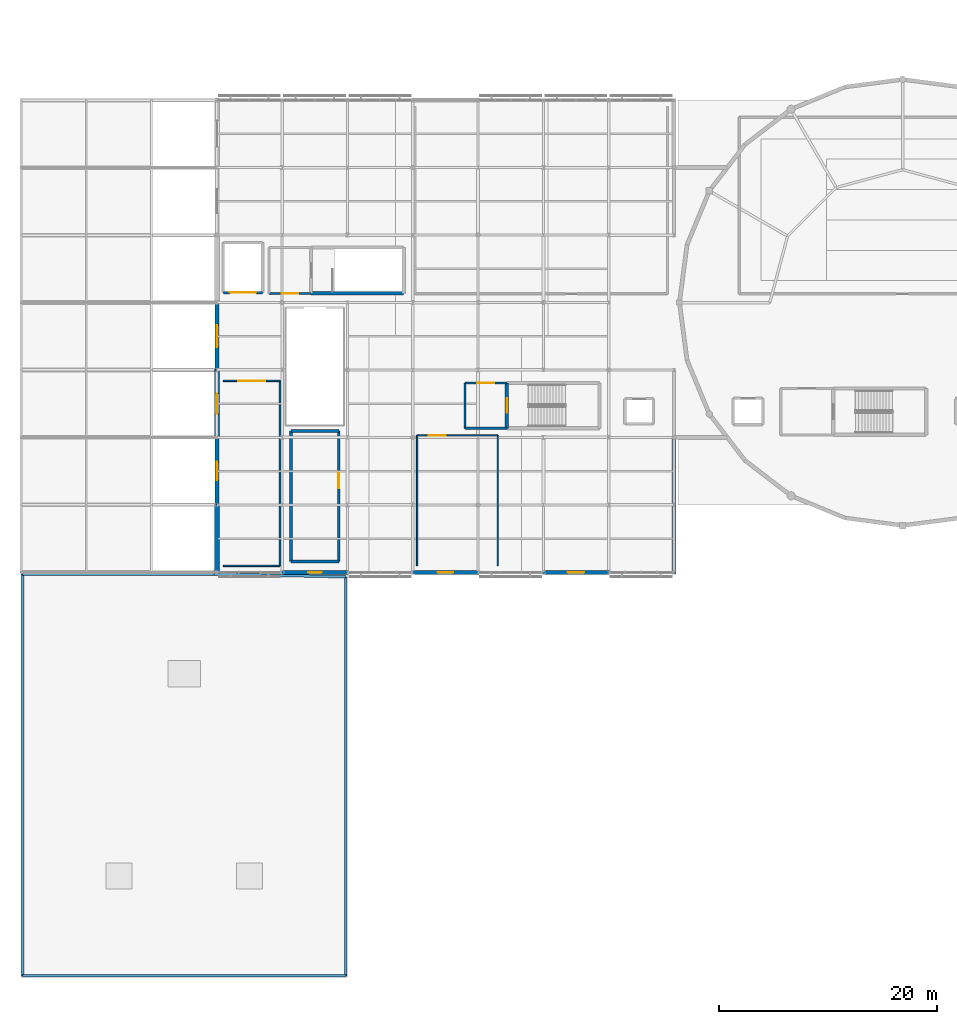
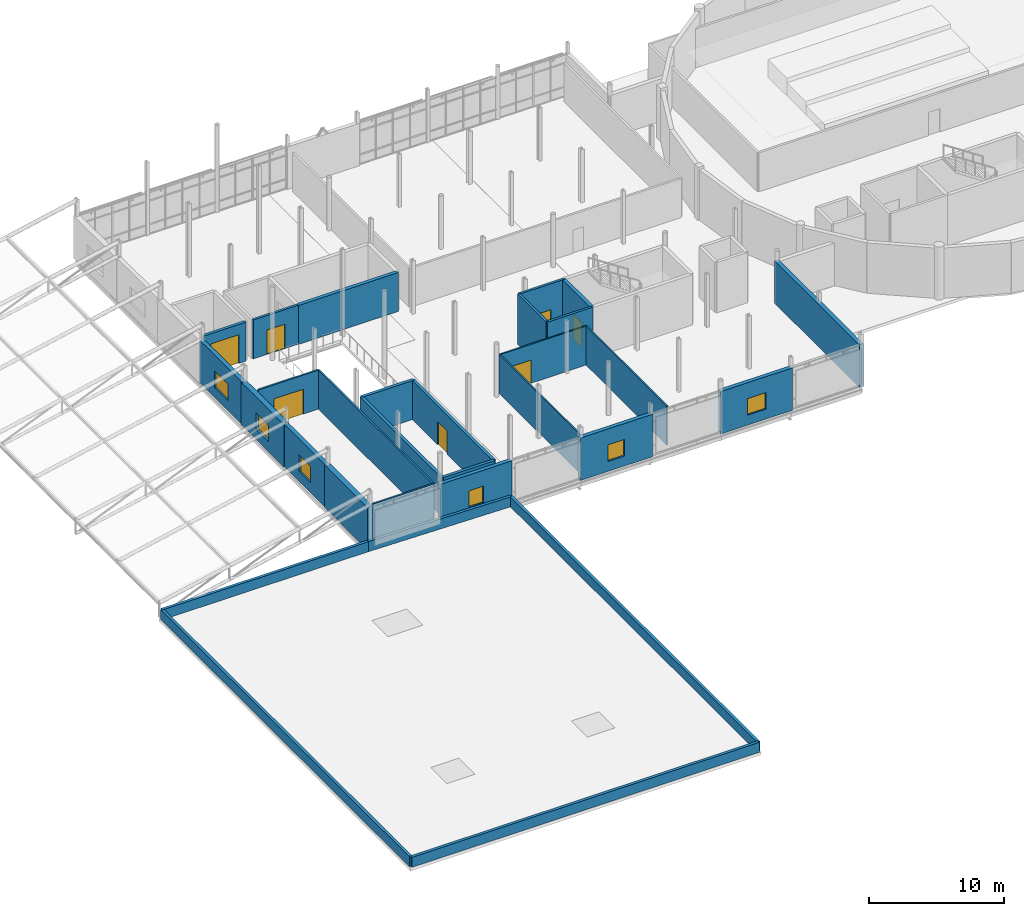
# One storey, part 57 of 84: 30 walls, 7 doors, 6 windows, 13 openings.
"""IFC4 building model written with IfcOpenShell, lengths in metres."""

from ifc_helpers import new_model, si_unit, direction, frame, frame_2d, origin, place, context, subcontext, project, spatial, rectangle, extrude, material, layer, layer_set, type_object, element, fill, save


model = new_model("IFC4")

# Units and contexts
model_context = context("Model", 3, precision=1e-05, world=origin(), true_north=direction((0.0, 1.0)))
body_context = subcontext(model_context, "Body", "Model", "MODEL_VIEW")
ifc_project = project(units=[si_unit("LENGTHUNIT", "METRE"), si_unit("AREAUNIT", "SQUARE_METRE"), si_unit("VOLUMEUNIT", "CUBIC_METRE"), si_unit("PLANEANGLEUNIT", "RADIAN"), si_unit("MASSUNIT", "GRAM", prefix="KILO")], contexts=[model_context])

# Site, building, storey
site_placement = place(None, origin())
site = spatial("IfcSite", under=ifc_project, at=site_placement, CompositionType="ELEMENT")
building_placement = place(site_placement, origin())
building = spatial("IfcBuilding", under=site, at=building_placement, Name="Mirzam Square Science Centre", CompositionType="ELEMENT")
storey_placement = place(building_placement, frame((0.0, 0.0, 10.800048828125)))
storey = spatial("IfcBuildingStorey", under=building, at=storey_placement, Name="L02", CompositionType="ELEMENT", Elevation=10.800048828125)

# Wall, opening, door
ifc_material_1 = material(Name="Concrete C45/55", Category="concrete")
ifc_layer_1 = layer(ifc_material_1, 0.300048828125)
ifc_layer_set_1 = layer_set([ifc_layer_1], Name="W-CORE-300")
wall_type_1 = type_object("IfcWallType", Name="W-CORE-300", PredefinedType="SHEAR", material=ifc_layer_set_1)
wall_1_placement = place(storey_placement, frame((44.639892578125, 54.610107421875, 0.0), z_axis=(0.0, 0.0, 1.0), x_axis=(0.0, -1.0, 0.0)))
wall_1 = element("IfcWall", 1, at=wall_1_placement, inside=storey, type_object=wall_type_1, Name="L02 CORE-1 west wall", PredefinedType="SHEAR", context=body_context, shape_type="SweptSolid", body=[
    extrude(rectangle(XDim=4.170166015625, YDim=0.300048828125, at=frame_2d((2.0849609375, 0.0))), origin(), (0.0, 0.0, 1.0), 4.550048828125),
])
opening_1_placement = place(wall_1_placement, frame((1.409912109375, 0.0, 0.0)))
opening_1 = element("IfcOpeningElement", 2, at=opening_1_placement, cuts=wall_1, Name="Opening DS-01", PredefinedType="OPENING", context=body_context, shape_type="SweptSolid", body=[
    extrude(rectangle(XDim=1.35009765625, YDim=2.199951171875, at=frame_2d((0.675048828125, 1.10009765625))), frame((0.0, 0.159912109375, 0.0), z_axis=(0.0, -1.0, 0.0), x_axis=(1.0, 0.0, 0.0)), (0.0, 0.0, 1.0), 0.320068359375),
])
ifc_material_2 = material(Name="Fire-Rated Powder-Coated Architectural Steel Door", Category="steel")
door_type_1 = type_object("IfcDoorType", Name="DR-STAIR-1350x2200", OperationType="NOTDEFINED", PredefinedType="DOOR", material=ifc_material_2)
door_1_placement = place(opening_1_placement, origin())
door_1 = element("IfcDoor", 3, at=door_1_placement, inside=storey, type_object=door_type_1, Name="DRS-1-L02", OperationType="SINGLE_SWING_RIGHT", OverallHeight=2.199951171875, OverallWidth=1.35009765625, PredefinedType="DOOR", context=body_context, shape_type="SweptSolid", body=[
    extrude(rectangle(XDim=1.35009765625, YDim=2.199951171875, at=frame_2d((0.675048828125, 1.10009765625))), frame((0.0, 0.02490234375, 0.0), z_axis=(0.0, -1.0, 0.0), x_axis=(1.0, 0.0, 0.0)), (0.0, 0.0, 1.0), 0.050048828125),
])
fill(opening_1, door_1)

# Walls
wall_2_placement = place(storey_placement, frame((26.639892578125, 62.840087890625, 0.0), z_axis=(0.0, 0.0, 1.0), x_axis=(1.0, 0.0, 0.0)))
element("IfcWall", 4, at=wall_2_placement, inside=storey, type_object=wall_type_1, Name="L02 CORE-2 south wall", PredefinedType="SHEAR", context=body_context, shape_type="SweptSolid", body=[
    extrude(rectangle(XDim=8.52001953125, YDim=0.300048828125, at=frame_2d((4.260009765625, 0.0))), origin(), (0.0, 0.0, 1.0), 3.52001953125),
])
ifc_material_3 = material(Name="Honed Qatari Limestone Concrete C40/50", Category="masonry")
ifc_layer_2 = layer(ifc_material_3, 0.449951171875)
ifc_layer_set_2 = layer_set([ifc_layer_2], Name="W-EXT-LIME-450")
wall_type_2 = type_object("IfcWallType", Name="W-EXT-LIME-450", PredefinedType="SOLIDWALL", material=ifc_layer_set_2)
wall_3_placement = place(storey_placement, frame((18.0, 43.47509765625, 0.0), z_axis=(0.0, 0.0, 1.0), x_axis=(0.0, -1.0, 0.0)))
element("IfcWall", 5, at=wall_3_placement, inside=storey, type_object=wall_type_2, Name="L02 external wall EW-WDG-W-L02-07", PredefinedType="SOLIDWALL", context=body_context, shape_type="SweptSolid", body=[
    extrude(rectangle(XDim=6.35009765625, YDim=0.449951171875, at=frame_2d((3.175048828125, 0.0))), origin(), (0.0, 0.0, 1.0), 3.83984375),
])

# Wall, opening, window
wall_4_placement = place(storey_placement, frame((18.0, 55.875, 0.0), z_axis=(0.0, 0.0, 1.0), x_axis=(0.0, -1.0, 0.0)))
wall_4 = element("IfcWall", 6, at=wall_4_placement, inside=storey, type_object=wall_type_2, Name="L02 external wall EW-WDG-W-L02-09", PredefinedType="SOLIDWALL", context=body_context, shape_type="SweptSolid", body=[
    extrude(rectangle(XDim=6.35009765625, YDim=0.449951171875, at=frame_2d((3.175048828125, 0.0))), origin(), (0.0, 0.0, 1.0), 3.83984375),
])
opening_2_placement = place(wall_4_placement, frame((2.25, 0.0, 0.89990234375)))
opening_2 = element("IfcOpeningElement", 7, at=opening_2_placement, cuts=wall_4, Name="Opening W-17", PredefinedType="OPENING", context=body_context, shape_type="SweptSolid", body=[
    extrude(rectangle(XDim=1.85009765625, YDim=1.5, at=frame_2d((0.925048828125, 0.75))), frame((0.0, 0.23486328125, 0.0), z_axis=(0.0, -1.0, 0.0), x_axis=(1.0, 0.0, 0.0)), (0.0, 0.0, 1.0), 0.469970703125),
])
ifc_material_4 = material(Name="Thermally Broken Bronze Aluminium and Low-E Glass", Category="aluminium")
window_type_1 = type_object("IfcWindowType", Name="WIN-1850x1500", PartitioningType="DOUBLE_PANEL_VERTICAL", PredefinedType="WINDOW", material=ifc_material_4)
window_1_placement = place(opening_2_placement, origin())
window_1 = element("IfcWindow", 8, at=window_1_placement, inside=storey, type_object=window_type_1, Name="L02 solar window 017", OverallHeight=1.5, OverallWidth=1.85009765625, PartitioningType="DOUBLE_PANEL_VERTICAL", PredefinedType="WINDOW", context=body_context, shape_type="SweptSolid", body=[
    extrude(rectangle(XDim=1.85009765625, YDim=1.5, at=frame_2d((0.925048828125, 0.75))), frame((0.0, 0.030029296875, 0.0), z_axis=(0.0, -1.0, 0.0), x_axis=(1.0, 0.0, 0.0)), (0.0, 0.0, 1.0), 0.06005859375),
])
fill(opening_2, window_1)

ifc_material_5 = material(Name="Standing-Seam Zinc-Clad Concrete Backup C40/50", Category="concrete")
ifc_layer_3 = layer(ifc_material_5, 0.330078125)
ifc_layer_set_3 = layer_set([ifc_layer_3], Name="W-EXT-METAL-330")
wall_type_3 = type_object("IfcWallType", Name="W-EXT-METAL-330", PredefinedType="SOLIDWALL", material=ifc_layer_set_3)
wall_5_placement = place(storey_placement, frame((23.925048828125, 37.199951171875, 0.0), z_axis=(0.0, 0.0, 1.0), x_axis=(1.0, 0.0, 0.0)))
wall_5 = element("IfcWall", 9, at=wall_5_placement, inside=storey, type_object=wall_type_3, Name="L02 external wall EW-WDG-S-L02-05", PredefinedType="SOLIDWALL", context=body_context, shape_type="SweptSolid", body=[
    extrude(rectangle(XDim=6.14990234375, YDim=0.330078125, at=frame_2d((3.074951171875, 0.0))), origin(), (0.0, 0.0, 1.0), 3.83984375),
])
opening_3_placement = place(wall_5_placement, frame((2.449951171875, 0.0, 0.89990234375)))
opening_3 = element("IfcOpeningElement", 10, at=opening_3_placement, cuts=wall_5, Name="Opening W-13", PredefinedType="OPENING", context=body_context, shape_type="SweptSolid", body=[
    extrude(rectangle(XDim=1.25, YDim=1.5, at=frame_2d((0.625, 0.75))), frame((0.0, 0.175048828125, 0.0), z_axis=(0.0, -1.0, 0.0), x_axis=(1.0, 0.0, 0.0)), (0.0, 0.0, 1.0), 0.35009765625),
])
window_type_2 = type_object("IfcWindowType", Name="WIN-1250x1500", PartitioningType="SINGLE_PANEL", PredefinedType="WINDOW", material=ifc_material_4)
window_2_placement = place(opening_3_placement, origin())
window_2 = element("IfcWindow", 11, at=window_2_placement, inside=storey, type_object=window_type_2, Name="L02 solar window 013", OverallHeight=1.5, OverallWidth=1.25, PartitioningType="SINGLE_PANEL", PredefinedType="WINDOW", context=body_context, shape_type="SweptSolid", body=[
    extrude(rectangle(XDim=1.25, YDim=1.5, at=frame_2d((0.625, 0.75))), frame((0.0, 0.030029296875, 0.0), z_axis=(0.0, -1.0, 0.0), x_axis=(1.0, 0.0, 0.0)), (0.0, 0.0, 1.0), 0.06005859375),
])
fill(opening_3, window_2)

wall_6_placement = place(storey_placement, frame((35.925048828125, 37.199951171875, 0.0), z_axis=(0.0, 0.0, 1.0), x_axis=(1.0, 0.0, 0.0)))
wall_6 = element("IfcWall", 12, at=wall_6_placement, inside=storey, type_object=wall_type_3, Name="L02 external wall EW-WDG-S-L02-07", PredefinedType="SOLIDWALL", context=body_context, shape_type="SweptSolid", body=[
    extrude(rectangle(XDim=6.14990234375, YDim=0.330078125, at=frame_2d((3.074951171875, 0.0))), origin(), (0.0, 0.0, 1.0), 3.83984375),
])
opening_4_placement = place(wall_6_placement, frame((2.375, 0.0, 0.89990234375)))
opening_4 = element("IfcOpeningElement", 13, at=opening_4_placement, cuts=wall_6, Name="Opening W-14", PredefinedType="OPENING", context=body_context, shape_type="SweptSolid", body=[
    extrude(rectangle(XDim=1.39990234375, YDim=1.5, at=frame_2d((0.699951171875, 0.75))), frame((0.0, 0.175048828125, 0.0), z_axis=(0.0, -1.0, 0.0), x_axis=(1.0, 0.0, 0.0)), (0.0, 0.0, 1.0), 0.35009765625),
])
window_type_3 = type_object("IfcWindowType", Name="WIN-1400x1500", PartitioningType="SINGLE_PANEL", PredefinedType="WINDOW", material=ifc_material_4)
window_3_placement = place(opening_4_placement, origin())
window_3 = element("IfcWindow", 14, at=window_3_placement, inside=storey, type_object=window_type_3, Name="L02 solar window 014", OverallHeight=1.5, OverallWidth=1.39990234375, PartitioningType="SINGLE_PANEL", PredefinedType="WINDOW", context=body_context, shape_type="SweptSolid", body=[
    extrude(rectangle(XDim=1.39990234375, YDim=1.5, at=frame_2d((0.699951171875, 0.75))), frame((0.0, 0.030029296875, 0.0), z_axis=(0.0, -1.0, 0.0), x_axis=(1.0, 0.0, 0.0)), (0.0, 0.0, 1.0), 0.06005859375),
])
fill(opening_4, window_3)

wall_7_placement = place(storey_placement, frame((47.925048828125, 37.199951171875, 0.0), z_axis=(0.0, 0.0, 1.0), x_axis=(1.0, 0.0, 0.0)))
wall_7 = element("IfcWall", 15, at=wall_7_placement, inside=storey, type_object=wall_type_3, Name="L02 external wall EW-WDG-S-L02-09", PredefinedType="SOLIDWALL", context=body_context, shape_type="SweptSolid", body=[
    extrude(rectangle(XDim=6.14990234375, YDim=0.330078125, at=frame_2d((3.074951171875, 0.0))), origin(), (0.0, 0.0, 1.0), 3.83984375),
])
opening_5_placement = place(wall_7_placement, frame((2.300048828125, 0.0, 0.89990234375)))
opening_5 = element("IfcOpeningElement", 16, at=opening_5_placement, cuts=wall_7, Name="Opening W-15", PredefinedType="OPENING", context=body_context, shape_type="SweptSolid", body=[
    extrude(rectangle(XDim=1.550048828125, YDim=1.5, at=frame_2d((0.77490234375, 0.75))), frame((0.0, 0.175048828125, 0.0), z_axis=(0.0, -1.0, 0.0), x_axis=(1.0, 0.0, 0.0)), (0.0, 0.0, 1.0), 0.35009765625),
])
window_type_4 = type_object("IfcWindowType", Name="WIN-1550x1500", PartitioningType="SINGLE_PANEL", PredefinedType="WINDOW", material=ifc_material_4)
window_4_placement = place(opening_5_placement, origin())
window_4 = element("IfcWindow", 17, at=window_4_placement, inside=storey, type_object=window_type_4, Name="L02 solar window 015", OverallHeight=1.5, OverallWidth=1.550048828125, PartitioningType="SINGLE_PANEL", PredefinedType="WINDOW", context=body_context, shape_type="SweptSolid", body=[
    extrude(rectangle(XDim=1.550048828125, YDim=1.5, at=frame_2d((0.77490234375, 0.75))), frame((0.0, 0.030029296875, 0.0), z_axis=(0.0, -1.0, 0.0), x_axis=(1.0, 0.0, 0.0)), (0.0, 0.0, 1.0), 0.06005859375),
])
fill(opening_5, window_4)

# Wall
ifc_layer_4 = layer(ifc_material_5, 0.35009765625)
ifc_layer_set_4 = layer_set([ifc_layer_4], Name="W-EXT-METAL-350")
wall_type_4 = type_object("IfcWallType", Name="W-EXT-METAL-350", PredefinedType="SOLIDWALL", material=ifc_layer_set_4)
wall_8_placement = place(storey_placement, frame((60.0, 37.125, 0.0), z_axis=(0.0, 0.0, 1.0), x_axis=(0.0, 1.0, 0.0)))
element("IfcWall", 18, at=wall_8_placement, inside=storey, type_object=wall_type_4, Name="L02 external wall EW-WDG-E-S-L02", PredefinedType="SOLIDWALL", context=body_context, shape_type="SweptSolid", body=[
    extrude(rectangle(XDim=12.550048828125, YDim=0.35009765625, at=frame_2d((6.27490234375, 0.0))), origin(), (0.0, 0.0, 1.0), 3.83984375),
])

# Wall, opening, window
wall_9_placement = place(storey_placement, frame((18.0, 49.675048828125, 0.0), z_axis=(0.0, 0.0, 1.0), x_axis=(0.0, -1.0, 0.0)))
wall_9 = element("IfcWall", 19, at=wall_9_placement, inside=storey, type_object=wall_type_4, Name="L02 external wall EW-WDG-W-L02-08", PredefinedType="SOLIDWALL", context=body_context, shape_type="SweptSolid", body=[
    extrude(rectangle(XDim=6.35009765625, YDim=0.35009765625, at=frame_2d((3.175048828125, 0.0))), origin(), (0.0, 0.0, 1.0), 3.83984375),
])
opening_6_placement = place(wall_9_placement, frame((2.324951171875, 0.0, 0.89990234375)))
opening_6 = element("IfcOpeningElement", 20, at=opening_6_placement, cuts=wall_9, Name="Opening W-16", PredefinedType="OPENING", context=body_context, shape_type="SweptSolid", body=[
    extrude(rectangle(XDim=1.699951171875, YDim=1.5, at=frame_2d((0.85009765625, 0.75))), frame((0.0, 0.18505859375, 0.0), z_axis=(0.0, -1.0, 0.0), x_axis=(1.0, 0.0, 0.0)), (0.0, 0.0, 1.0), 0.3701171875),
])
window_type_5 = type_object("IfcWindowType", Name="WIN-1700x1500", PartitioningType="SINGLE_PANEL", PredefinedType="WINDOW", material=ifc_material_4)
window_5_placement = place(opening_6_placement, origin())
window_5 = element("IfcWindow", 21, at=window_5_placement, inside=storey, type_object=window_type_5, Name="L02 solar window 016", OverallHeight=1.5, OverallWidth=1.699951171875, PartitioningType="SINGLE_PANEL", PredefinedType="WINDOW", context=body_context, shape_type="SweptSolid", body=[
    extrude(rectangle(XDim=1.699951171875, YDim=1.5, at=frame_2d((0.85009765625, 0.75))), frame((0.0, 0.030029296875, 0.0), z_axis=(0.0, -1.0, 0.0), x_axis=(1.0, 0.0, 0.0)), (0.0, 0.0, 1.0), 0.06005859375),
])
fill(opening_6, window_5)

wall_10_placement = place(storey_placement, frame((18.0, 62.074951171875, 0.0), z_axis=(0.0, 0.0, 1.0), x_axis=(0.0, -1.0, 0.0)))
wall_10 = element("IfcWall", 22, at=wall_10_placement, inside=storey, type_object=wall_type_4, Name="L02 external wall EW-WDG-W-L02-10", PredefinedType="SOLIDWALL", context=body_context, shape_type="SweptSolid", body=[
    extrude(rectangle(XDim=6.349853515625, YDim=0.35009765625, at=frame_2d((3.1748046875, 0.0))), origin(), (0.0, 0.0, 1.0), 3.83984375),
])
opening_7_placement = place(wall_10_placement, frame((2.175048828125, 0.0, 0.89990234375)))
opening_7 = element("IfcOpeningElement", 23, at=opening_7_placement, cuts=wall_10, Name="Opening W-18", PredefinedType="OPENING", context=body_context, shape_type="SweptSolid", body=[
    extrude(rectangle(XDim=2.0, YDim=1.5, at=frame_2d((1.0, 0.75))), frame((0.0, 0.18505859375, 0.0), z_axis=(0.0, -1.0, 0.0), x_axis=(1.0, 0.0, 0.0)), (0.0, 0.0, 1.0), 0.3701171875),
])
window_type_6 = type_object("IfcWindowType", Name="WIN-2000x1500", PartitioningType="DOUBLE_PANEL_VERTICAL", PredefinedType="WINDOW", material=ifc_material_4)
window_6_placement = place(opening_7_placement, origin())
window_6 = element("IfcWindow", 24, at=window_6_placement, inside=storey, type_object=window_type_6, Name="L02 solar window 018", OverallHeight=1.5, OverallWidth=2.0, PartitioningType="DOUBLE_PANEL_VERTICAL", PredefinedType="WINDOW", context=body_context, shape_type="SweptSolid", body=[
    extrude(rectangle(XDim=2.0, YDim=1.5, at=frame_2d((1.0, 0.75))), frame((0.0, 0.030029296875, 0.0), z_axis=(0.0, -1.0, 0.0), x_axis=(1.0, 0.0, 0.0)), (0.0, 0.0, 1.0), 0.06005859375),
])
fill(opening_7, window_6)

# Wall
ifc_layer_5 = layer(ifc_material_1, 0.199951171875)
ifc_layer_set_5 = layer_set([ifc_layer_5], Name="W-LOBBY-200")
wall_type_5 = type_object("IfcWallType", Name="W-LOBBY-200", PredefinedType="SHEAR", material=ifc_layer_set_5)
wall_11_placement = place(storey_placement, frame((40.800048828125, 50.43994140625, 0.0), z_axis=(0.0, 0.0, 1.0), x_axis=(1.0, 0.0, 0.0)))
element("IfcWall", 25, at=wall_11_placement, inside=storey, type_object=wall_type_5, Name="L02 CORE-1 lobby south wall", PredefinedType="SHEAR", context=body_context, shape_type="SweptSolid", body=[
    extrude(rectangle(XDim=3.83984375, YDim=0.199951171875, at=frame_2d((1.919921875, 0.0))), origin(), (0.0, 0.0, 1.0), 4.550048828125),
])

# Wall, opening, door
wall_12_placement = place(storey_placement, frame((44.639892578125, 54.610107421875, 0.0), z_axis=(0.0, 0.0, 1.0), x_axis=(-1.0, 0.0, 0.0)))
wall_12 = element("IfcWall", 26, at=wall_12_placement, inside=storey, type_object=wall_type_5, Name="L02 CORE-1 lobby north wall", PredefinedType="SHEAR", context=body_context, shape_type="SweptSolid", body=[
    extrude(rectangle(XDim=3.83984375, YDim=0.199951171875, at=frame_2d((1.919921875, 0.0))), origin(), (0.0, 0.0, 1.0), 4.550048828125),
])
opening_8_placement = place(wall_12_placement, frame((1.14501953125, 0.0, 0.0)))
opening_8 = element("IfcOpeningElement", 27, at=opening_8_placement, cuts=wall_12, Name="Opening DL-01", PredefinedType="OPENING", context=body_context, shape_type="SweptSolid", body=[
    extrude(rectangle(XDim=1.550048828125, YDim=2.199951171875, at=frame_2d((0.77490234375, 1.10009765625))), frame((0.0, 0.10986328125, 0.0), z_axis=(0.0, -1.0, 0.0), x_axis=(1.0, 0.0, 0.0)), (0.0, 0.0, 1.0), 0.219970703125),
])
ifc_material_6 = material(Name="Fire-Rated Glazed Architectural Steel Lobby Door", Category="steel")
door_type_2 = type_object("IfcDoorType", Name="DR-LOBBY-1550x2200", OperationType="DOUBLE_DOOR_SINGLE_SWING", PredefinedType="DOOR", material=ifc_material_6)
door_2_placement = place(opening_8_placement, origin())
door_2 = element("IfcDoor", 28, at=door_2_placement, inside=storey, type_object=door_type_2, Name="DRL-1-L02", OperationType="SINGLE_SWING_LEFT", OverallHeight=2.199951171875, OverallWidth=1.550048828125, PredefinedType="DOOR", context=body_context, shape_type="SweptSolid", body=[
    extrude(rectangle(XDim=1.550048828125, YDim=2.199951171875, at=frame_2d((0.77490234375, 1.10009765625))), frame((0.0, 0.02490234375, 0.0), z_axis=(0.0, -1.0, 0.0), x_axis=(1.0, 0.0, 0.0)), (0.0, 0.0, 1.0), 0.050048828125),
])
fill(opening_8, door_2)

# Wall
wall_13_placement = place(storey_placement, frame((40.800048828125, 54.610107421875, 0.0), z_axis=(0.0, 0.0, 1.0), x_axis=(0.0, -1.0, 0.0)))
element("IfcWall", 29, at=wall_13_placement, inside=storey, type_object=wall_type_5, Name="L02 CORE-1 lobby west wall", PredefinedType="SHEAR", context=body_context, shape_type="SweptSolid", body=[
    extrude(rectangle(XDim=4.170166015625, YDim=0.199951171875, at=frame_2d((2.0849609375, 0.0))), origin(), (0.0, 0.0, 1.0), 4.550048828125),
])

# Wall, opening, door
wall_14_placement = place(storey_placement, frame((22.800048828125, 62.840087890625, 0.0), z_axis=(0.0, 0.0, 1.0), x_axis=(1.0, 0.0, 0.0)))
wall_14 = element("IfcWall", 30, at=wall_14_placement, inside=storey, type_object=wall_type_5, Name="L02 CORE-2 lobby south wall", PredefinedType="SHEAR", context=body_context, shape_type="SweptSolid", body=[
    extrude(rectangle(XDim=3.83984375, YDim=0.199951171875, at=frame_2d((1.919921875, 0.0))), origin(), (0.0, 0.0, 1.0), 3.52001953125),
])
opening_9_placement = place(wall_14_placement, frame((1.14501953125, 0.0, 0.0)))
opening_9 = element("IfcOpeningElement", 31, at=opening_9_placement, cuts=wall_14, Name="Opening DL-01", PredefinedType="OPENING", context=body_context, shape_type="SweptSolid", body=[
    extrude(rectangle(XDim=1.550048828125, YDim=2.199951171875, at=frame_2d((0.77490234375, 1.10009765625))), frame((0.0, 0.10986328125, 0.0), z_axis=(0.0, -1.0, 0.0), x_axis=(1.0, 0.0, 0.0)), (0.0, 0.0, 1.0), 0.219970703125),
])
door_3_placement = place(opening_9_placement, origin())
door_3 = element("IfcDoor", 32, at=door_3_placement, inside=storey, type_object=door_type_2, Name="DRL-2-L02", OperationType="SINGLE_SWING_LEFT", OverallHeight=2.199951171875, OverallWidth=1.550048828125, PredefinedType="DOOR", context=body_context, shape_type="SweptSolid", body=[
    extrude(rectangle(XDim=1.550048828125, YDim=2.199951171875, at=frame_2d((0.77490234375, 1.10009765625))), frame((0.0, 0.02490234375, 0.0), z_axis=(0.0, -1.0, 0.0), x_axis=(1.0, 0.0, 0.0)), (0.0, 0.0, 1.0), 0.050048828125),
])
fill(opening_9, door_3)

# Walls
ifc_material_7 = material(Name="Limestone Coping Parapet Concrete C40/50", Category="masonry")
ifc_layer_6 = layer(ifc_material_7, 0.239990234375)
ifc_layer_set_6 = layer_set([ifc_layer_6], Name="W-PARAPET-240")
wall_type_6 = type_object("IfcWallType", Name="W-PARAPET-240", PredefinedType="PARAPET", material=ifc_layer_set_6)
wall_15_placement = place(storey_placement, frame((17.75, 37.050048828125, 0.0), z_axis=(0.0, 0.0, 1.0), x_axis=(-1.0, 0.0, 0.0)))
element("IfcWall", 33, at=wall_15_placement, inside=storey, type_object=wall_type_6, Name="SW-ROOF perimeter parapet 1", PredefinedType="PARAPET", context=body_context, shape_type="SweptSolid", body=[
    extrude(rectangle(XDim=17.60009765625, YDim=0.239990234375, at=frame_2d((8.800048828125, 0.0))), origin(), (0.0, 0.0, 1.0), 0.89990234375),
])
wall_16_placement = place(storey_placement, frame((0.14990234375, 37.050048828125, 0.0), z_axis=(0.0, 0.0, 1.0), x_axis=(0.0, -1.0, 0.0)))
element("IfcWall", 34, at=wall_16_placement, inside=storey, type_object=wall_type_6, Name="SW-ROOF perimeter parapet 2", PredefinedType="PARAPET", context=body_context, shape_type="SweptSolid", body=[
    extrude(rectangle(XDim=36.900146484375, YDim=0.239990234375, at=frame_2d((18.4501953125, 0.0))), origin(), (0.0, 0.0, 1.0), 0.89990234375),
])
wall_17_placement = place(storey_placement, frame((0.14990234375, 0.14990234375, 0.0), z_axis=(0.0, 0.0, 1.0), x_axis=(1.0, 0.0, 0.0)))
element("IfcWall", 35, at=wall_17_placement, inside=storey, type_object=wall_type_6, Name="SW-ROOF perimeter parapet 3", PredefinedType="PARAPET", context=body_context, shape_type="SweptSolid", body=[
    extrude(rectangle(XDim=29.7001953125, YDim=0.239990234375, at=frame_2d((14.85009765625, 0.0))), origin(), (0.0, 0.0, 1.0), 0.89990234375),
])
wall_18_placement = place(storey_placement, frame((29.85009765625, 0.14990234375, 0.0), z_axis=(0.0, 0.0, 1.0), x_axis=(0.0, 1.0, 0.0)))
element("IfcWall", 36, at=wall_18_placement, inside=storey, type_object=wall_type_6, Name="SW-ROOF perimeter parapet 4", PredefinedType="PARAPET", context=body_context, shape_type="SweptSolid", body=[
    extrude(rectangle(XDim=36.650146484375, YDim=0.239990234375, at=frame_2d((18.3251953125, 0.0))), origin(), (0.0, 0.0, 1.0), 0.89990234375),
])
wall_19_placement = place(storey_placement, frame((29.85009765625, 36.800048828125, 0.0), z_axis=(0.0, 0.0, 1.0), x_axis=(-0.99978663005, 0.02065658184, 0.0)))
element("IfcWall", 37, at=wall_19_placement, inside=storey, type_object=wall_type_6, Name="SW-ROOF perimeter parapet 5", PredefinedType="PARAPET", context=body_context, shape_type="SweptSolid", body=[
    extrude(rectangle(XDim=12.102783203125, YDim=0.239990234375, at=frame_2d((6.05126953125, 0.0))), origin(), (0.0, 0.0, 1.0), 0.89990234375),
])

# Wall, opening, door
ifc_material_8 = material(Name="Acoustic Gypsum Stud Partition", Category="gypsum")
ifc_layer_7 = layer(ifc_material_8, 0.1201171875)
ifc_layer_set_7 = layer_set([ifc_layer_7], Name="W-PART-120")
wall_type_7 = type_object("IfcWallType", Name="W-PART-120", PredefinedType="PARTITIONING", material=ifc_layer_set_7)
wall_20_placement = place(storey_placement, frame((36.39990234375, 49.800048828125, 0.0), z_axis=(0.0, 0.0, 1.0), x_axis=(1.0, 0.0, 0.0)))
wall_20 = element("IfcWall", 38, at=wall_20_placement, inside=storey, type_object=wall_type_7, Name="L02 Aerospace Prototyping School Workshop partition 200", PredefinedType="PARTITIONING", context=body_context, shape_type="SweptSolid", body=[
    extrude(rectangle(XDim=7.400146484375, YDim=0.1201171875, at=frame_2d((3.7001953125, 0.0))), origin(), (0.0, 0.0, 1.0), 3.52001953125),
])
opening_10_placement = place(wall_20_placement, frame((1.050048828125, 0.0, 0.0)))
opening_10 = element("IfcOpeningElement", 39, at=opening_10_placement, cuts=wall_20, Name="Opening D-08", PredefinedType="OPENING", context=body_context, shape_type="SweptSolid", body=[
    extrude(rectangle(XDim=1.60009765625, YDim=2.10009765625, at=frame_2d((0.800048828125, 1.050048828125))), frame((0.0, 0.070068359375, 0.0), z_axis=(0.0, -1.0, 0.0), x_axis=(1.0, 0.0, 0.0)), (0.0, 0.0, 1.0), 0.14013671875),
])
ifc_material_9 = material(Name="Solid Core Acoustic Oak Timber Door", Category="wood")
door_type_3 = type_object("IfcDoorType", Name="DR-INT-1600x2100", OperationType="DOUBLE_DOOR_SINGLE_SWING", PredefinedType="DOOR", material=ifc_material_9)
door_4_placement = place(opening_10_placement, origin())
door_4 = element("IfcDoor", 40, at=door_4_placement, inside=storey, type_object=door_type_3, Name="ID-L02-0055", OperationType="DOUBLE_DOOR_SINGLE_SWING", OverallHeight=2.10009765625, OverallWidth=1.60009765625, PredefinedType="DOOR", context=body_context, shape_type="SweptSolid", body=[
    extrude(rectangle(XDim=1.60009765625, YDim=2.10009765625, at=frame_2d((0.800048828125, 1.050048828125))), frame((0.0, 0.02490234375, 0.0), z_axis=(0.0, -1.0, 0.0), x_axis=(1.0, 0.0, 0.0)), (0.0, 0.0, 1.0), 0.050048828125),
])
fill(opening_10, door_4)

# Walls
for number, where, z_axis, x_axis, name in (
    (41, (43.800048828125, 49.800048828125, 0.0), (0.0, 0.0, 1.0), (0.0, -1.0, 0.0), "L02 Aerospace Prototyping School Workshop partition 201"),
    (42, (36.39990234375, 37.800048828125, 0.0), (0.0, 0.0, 1.0), (0.0, 1.0, 0.0), "L02 Aerospace Prototyping School Workshop partition 202"),
):
    element("IfcWall", number, at=place(storey_placement, frame(where, z_axis=z_axis, x_axis=x_axis)), inside=storey, type_object=wall_type_7, Name=name, PredefinedType="PARTITIONING", context=body_context, shape_type="SweptSolid", body=[
        extrude(rectangle(XDim=12.0, YDim=0.1201171875, at=frame_2d((6.0, 0.0))), origin(), (0.0, 0.0, 1.0), 3.52001953125),
    ])

# Wall, opening, door
ifc_material_10 = material(Name="Laboratory Acoustic Partition", Category="gypsum")
ifc_layer_8 = layer(ifc_material_10, 0.14990234375)
ifc_layer_set_8 = layer_set([ifc_layer_8], Name="W-PART-150")
wall_type_8 = type_object("IfcWallType", Name="W-PART-150", PredefinedType="PARTITIONING", material=ifc_layer_set_8)
wall_21_placement = place(storey_placement, frame((18.60009765625, 54.800048828125, 0.0), z_axis=(0.0, 0.0, 1.0), x_axis=(1.0, 0.0, 0.0)))
wall_21 = element("IfcWall", 43, at=wall_21_placement, inside=storey, type_object=wall_type_8, Name="L02 Aerospace Flight Exhibition Hall partition 172", PredefinedType="PARTITIONING", context=body_context, shape_type="SweptSolid", body=[
    extrude(rectangle(XDim=5.199951171875, YDim=0.14990234375, at=frame_2d((2.60009765625, 0.0))), origin(), (0.0, 0.0, 1.0), 3.52001953125),
])
opening_11_placement = place(wall_21_placement, frame((1.35009765625, 0.0, 0.0)))
opening_11 = element("IfcOpeningElement", 44, at=opening_11_placement, cuts=wall_21, Name="Opening D-24", PredefinedType="OPENING", context=body_context, shape_type="SweptSolid", body=[
    extrude(rectangle(XDim=2.5, YDim=2.25, at=frame_2d((1.25, 1.125))), frame((0.0, 0.0849609375, 0.0), z_axis=(0.0, -1.0, 0.0), x_axis=(1.0, 0.0, 0.0)), (0.0, 0.0, 1.0), 0.169921875),
])
ifc_material_11 = material(Name="Powder-Coated Architectural Steel Acoustic Door", Category="steel")
door_type_4 = type_object("IfcDoorType", Name="DR-INT-2500x2250", OperationType="DOUBLE_DOOR_SINGLE_SWING", PredefinedType="DOOR", material=ifc_material_11)
door_5_placement = place(opening_11_placement, origin())
door_5 = element("IfcDoor", 45, at=door_5_placement, inside=storey, type_object=door_type_4, Name="ID-L02-0047", OperationType="DOUBLE_DOOR_SINGLE_SWING", OverallHeight=2.25, OverallWidth=2.5, PredefinedType="DOOR", context=body_context, shape_type="SweptSolid", body=[
    extrude(rectangle(XDim=2.5, YDim=2.25, at=frame_2d((1.25, 1.125))), frame((0.0, 0.02490234375, 0.0), z_axis=(0.0, -1.0, 0.0), x_axis=(1.0, 0.0, 0.0)), (0.0, 0.0, 1.0), 0.050048828125),
])
fill(opening_11, door_5)

# Walls
wall_22_placement = place(storey_placement, frame((23.800048828125, 54.800048828125, 0.0), z_axis=(0.0, 0.0, 1.0), x_axis=(0.0, -1.0, 0.0)))
element("IfcWall", 46, at=wall_22_placement, inside=storey, type_object=wall_type_8, Name="L02 Aerospace Flight Exhibition Hall partition 173", PredefinedType="PARTITIONING", context=body_context, shape_type="SweptSolid", body=[
    extrude(rectangle(XDim=17.0, YDim=0.14990234375, at=frame_2d((8.5, 0.0))), origin(), (0.0, 0.0, 1.0), 3.52001953125),
])
wall_23_placement = place(storey_placement, frame((23.800048828125, 37.800048828125, 0.0), z_axis=(0.0, 0.0, 1.0), x_axis=(-1.0, 0.0, 0.0)))
element("IfcWall", 47, at=wall_23_placement, inside=storey, type_object=wall_type_8, Name="L02 Aerospace Flight Exhibition Hall partition 174", PredefinedType="PARTITIONING", context=body_context, shape_type="SweptSolid", body=[
    extrude(rectangle(XDim=5.199951171875, YDim=0.14990234375, at=frame_2d((2.60009765625, 0.0))), origin(), (0.0, 0.0, 1.0), 3.52001953125),
])
ifc_material_12 = material(Name="Theatre Acoustic Isolation Wall Concrete C35/45", Category="concrete")
ifc_layer_9 = layer(ifc_material_12, 0.260009765625)
ifc_layer_set_9 = layer_set([ifc_layer_9], Name="W-PART-260")
wall_type_9 = type_object("IfcWallType", Name="W-PART-260", PredefinedType="PARTITIONING", material=ifc_layer_set_9)
wall_24_placement = place(storey_placement, frame((24.800048828125, 50.199951171875, 0.0), z_axis=(0.0, 0.0, 1.0), x_axis=(1.0, 0.0, 0.0)))
element("IfcWall", 48, at=wall_24_placement, inside=storey, type_object=wall_type_9, Name="L02 Marine Chemistry Wet Laboratory partition 196", PredefinedType="PARTITIONING", context=body_context, shape_type="SweptSolid", body=[
    extrude(rectangle(XDim=4.39990234375, YDim=0.260009765625, at=frame_2d((2.199951171875, 0.0))), origin(), (0.0, 0.0, 1.0), 3.52001953125),
])

# Wall, opening, door
wall_25_placement = place(storey_placement, frame((29.199951171875, 50.199951171875, 0.0), z_axis=(0.0, 0.0, 1.0), x_axis=(0.0, -1.0, 0.0)))
wall_25 = element("IfcWall", 49, at=wall_25_placement, inside=storey, type_object=wall_type_9, Name="L02 Marine Chemistry Wet Laboratory partition 197", PredefinedType="PARTITIONING", context=body_context, shape_type="SweptSolid", body=[
    extrude(rectangle(XDim=12.0, YDim=0.260009765625, at=frame_2d((6.0, 0.0))), origin(), (0.0, 0.0, 1.0), 3.52001953125),
])
opening_12_placement = place(wall_25_placement, frame((3.860107421875, 0.0, 0.0)))
opening_12 = element("IfcOpeningElement", 50, at=opening_12_placement, cuts=wall_25, Name="Opening D-07", PredefinedType="OPENING", context=body_context, shape_type="SweptSolid", body=[
    extrude(rectangle(XDim=1.39990234375, YDim=2.10009765625, at=frame_2d((0.699951171875, 1.050048828125))), frame((0.0, 0.139892578125, 0.0), z_axis=(0.0, -1.0, 0.0), x_axis=(1.0, 0.0, 0.0)), (0.0, 0.0, 1.0), 0.280029296875),
])
door_type_5 = type_object("IfcDoorType", Name="DR-INT-1400x2100", OperationType="NOTDEFINED", PredefinedType="DOOR", material=ifc_material_9)
door_6_placement = place(opening_12_placement, origin())
door_6 = element("IfcDoor", 51, at=door_6_placement, inside=storey, type_object=door_type_5, Name="ID-L02-0054", OperationType="SINGLE_SWING_LEFT", OverallHeight=2.10009765625, OverallWidth=1.39990234375, PredefinedType="DOOR", context=body_context, shape_type="SweptSolid", body=[
    extrude(rectangle(XDim=1.39990234375, YDim=2.10009765625, at=frame_2d((0.699951171875, 1.050048828125))), frame((0.0, 0.02490234375, 0.0), z_axis=(0.0, -1.0, 0.0), x_axis=(1.0, 0.0, 0.0)), (0.0, 0.0, 1.0), 0.050048828125),
])
fill(opening_12, door_6)

# Walls
wall_26_placement = place(storey_placement, frame((29.199951171875, 38.199951171875, 0.0), z_axis=(0.0, 0.0, 1.0), x_axis=(-1.0, 0.0, 0.0)))
element("IfcWall", 52, at=wall_26_placement, inside=storey, type_object=wall_type_9, Name="L02 Marine Chemistry Wet Laboratory partition 198", PredefinedType="PARTITIONING", context=body_context, shape_type="SweptSolid", body=[
    extrude(rectangle(XDim=4.39990234375, YDim=0.260009765625, at=frame_2d((2.199951171875, 0.0))), origin(), (0.0, 0.0, 1.0), 3.52001953125),
])
wall_27_placement = place(storey_placement, frame((24.800048828125, 38.199951171875, 0.0), z_axis=(0.0, 0.0, 1.0), x_axis=(0.0, 1.0, 0.0)))
element("IfcWall", 53, at=wall_27_placement, inside=storey, type_object=wall_type_9, Name="L02 Marine Chemistry Wet Laboratory partition 199", PredefinedType="PARTITIONING", context=body_context, shape_type="SweptSolid", body=[
    extrude(rectangle(XDim=12.0, YDim=0.260009765625, at=frame_2d((6.0, 0.0))), origin(), (0.0, 0.0, 1.0), 3.52001953125),
])

# Wall, opening, door
ifc_layer_10 = layer(ifc_material_1, 0.25)
ifc_layer_set_10 = layer_set([ifc_layer_10], Name="W-SHAFT-250")
wall_type_10 = type_object("IfcWallType", Name="W-SHAFT-250", PredefinedType="SHEAR", material=ifc_layer_set_10)
wall_28_placement = place(storey_placement, frame((18.60009765625, 62.89990234375, 0.0), z_axis=(0.0, 0.0, 1.0), x_axis=(1.0, 0.0, 0.0)))
wall_28 = element("IfcWall", 54, at=wall_28_placement, inside=storey, type_object=wall_type_10, Name="L02 lift LG-01 shaft wall S", PredefinedType="SHEAR", context=body_context, shape_type="SweptSolid", body=[
    extrude(rectangle(XDim=3.599853515625, YDim=0.25, at=frame_2d((1.7998046875, 0.0))), origin(), (0.0, 0.0, 1.0), 3.52001953125),
])
opening_13_placement = place(wall_28_placement, frame((0.60009765625, 0.0, 0.0)))
opening_13 = element("IfcOpeningElement", 55, at=opening_13_placement, cuts=wall_28, Name="Opening LD-03", PredefinedType="OPENING", context=body_context, shape_type="SweptSolid", body=[
    extrude(rectangle(XDim=2.39990234375, YDim=2.60009765625, at=frame_2d((1.199951171875, 1.300048828125))), frame((0.0, 0.135009765625, 0.0), z_axis=(0.0, -1.0, 0.0), x_axis=(1.0, 0.0, 0.0)), (0.0, 0.0, 1.0), 0.27001953125),
])
ifc_material_13 = material(Name="Heavy-Duty Freight Stainless Steel Sliding Door", Category="steel")
door_type_6 = type_object("IfcDoorType", Name="LD-GOODS-2400x2600", OperationType="DOUBLE_DOOR_SLIDING", PredefinedType="DOOR", material=ifc_material_13)
door_7_placement = place(opening_13_placement, origin())
door_7 = element("IfcDoor", 56, at=door_7_placement, inside=storey, type_object=door_type_6, Name="LD-LG-01-L02", OperationType="DOUBLE_DOOR_SLIDING", OverallHeight=2.60009765625, OverallWidth=2.39990234375, PredefinedType="DOOR", context=body_context, shape_type="SweptSolid", body=[
    extrude(rectangle(XDim=2.39990234375, YDim=2.60009765625, at=frame_2d((1.199951171875, 1.300048828125))), frame((0.0, 0.02490234375, 0.0), z_axis=(0.0, -1.0, 0.0), x_axis=(1.0, 0.0, 0.0)), (0.0, 0.0, 1.0), 0.050048828125),
])
fill(opening_13, door_7)

save(model, "model.ifc")
